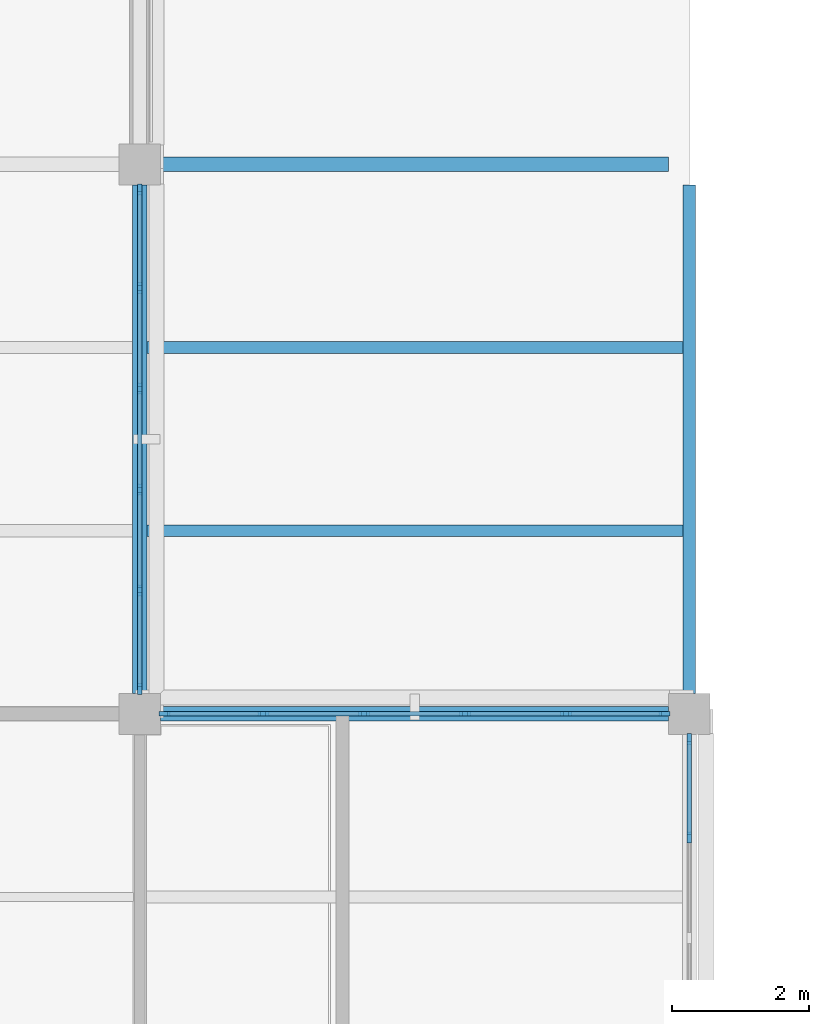
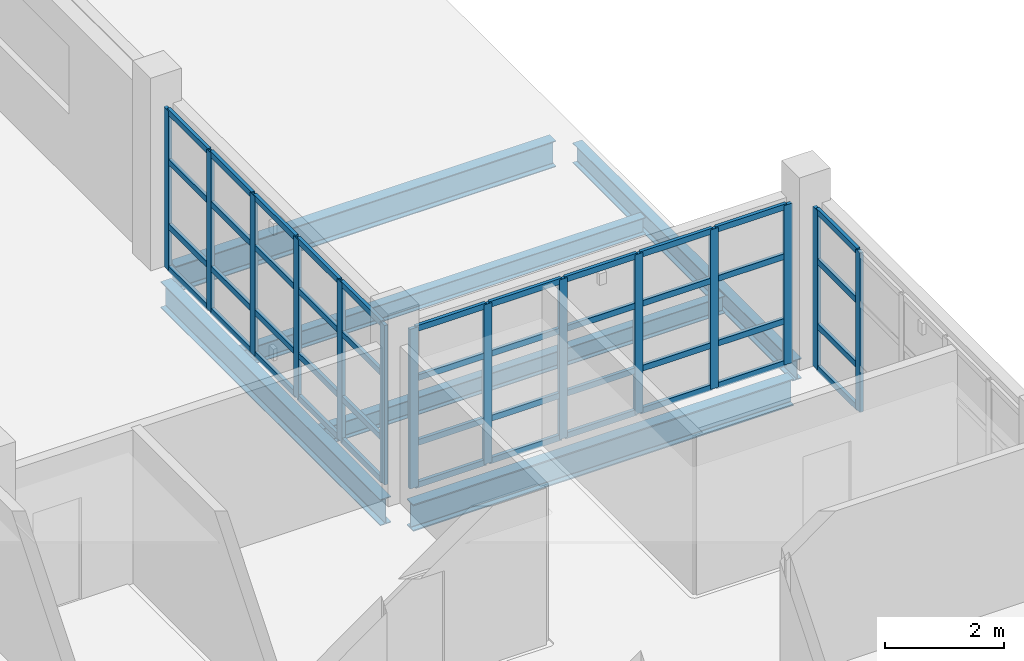
# One storey, part 42 of 126: 58 members, 6 beams, 3 elements without a shape of their own.
"""IFC4 building model written with IfcOpenShell, lengths in metres."""

from ifc_helpers import new_model, si_unit, derived_unit, direction, frame, origin, origin_2d, place, context, subcontext, project, spatial, rectangle, i_section, extrude, material, layer, layer_set, material_profile, profile_set, type_object, element, aggregate, save


model = new_model("IFC4")

# Units and contexts
model_context = context("Model", 3, precision=1e-05, world=origin(), true_north=direction((0.0, 1.0)))
body_context = subcontext(model_context, "Body", "Model", "MODEL_VIEW")
ifc_project = project(units=[si_unit("LENGTHUNIT", "METRE"), si_unit("AREAUNIT", "SQUARE_METRE"), si_unit("VOLUMEUNIT", "CUBIC_METRE"), si_unit("PLANEANGLEUNIT", "RADIAN"), si_unit("MASSUNIT", "GRAM", prefix="KILO"), derived_unit("THERMALTRANSMITTANCEUNIT", [(si_unit("MASSUNIT", "GRAM", prefix="KILO"), 1), (si_unit("TIMEUNIT", "SECOND"), -3), (si_unit("THERMODYNAMICTEMPERATUREUNIT", "KELVIN"), -1)])], contexts=[model_context])

# Site, building, storey
site_placement = place(None, origin())
site = spatial("IfcSite", under=ifc_project, at=site_placement, CompositionType="ELEMENT")
building_placement = place(site_placement, origin())
building = spatial("IfcBuilding", under=site, at=building_placement, Name="Veyamyaing Civic Hall", CompositionType="ELEMENT")
storey_placement = place(building_placement, frame((0.0, 0.0, 9.89990234375)))
storey = spatial("IfcBuildingStorey", under=building, at=storey_placement, Name="L02", CompositionType="ELEMENT", Elevation=9.89990234375)

# Beams
ifc_material_1 = material(Name="Steel ASTM A992", Category="steel")
ifc_material_profile_1 = material_profile(ifc_material_1, i_section(OverallWidth=0.214111328125, OverallDepth=0.549072265625, WebThickness=0.0146484375, FlangeThickness=0.023681640625, FilletRadius=0.011962890625, at=origin_2d()), Name="W530X138")
ifc_profile_set_1 = profile_set([ifc_material_profile_1], Name="Steel ASTM A992")
beam_type_1 = type_object("IfcBeamType", Name="B-16", PredefinedType="BEAM", material=ifc_profile_set_1)
beam_1_placement = place(storey_placement, frame((112.300048828125, 64.0, -0.559326171875), z_axis=(1.0, 0.0, 0.0), x_axis=(0.0, 1.0, 0.0)))
element("IfcBeam", 1, at=beam_1_placement, inside=storey, type_object=beam_type_1, Name="Girder B-16 L02 Grid J 15-16", PredefinedType="BEAM", context=body_context, shape_type="SweptSolid", body=[
    extrude(i_section(OverallWidth=0.214111328125, OverallDepth=0.549072265625, WebThickness=0.0146484375, FlangeThickness=0.023681640625, FilletRadius=0.011962890625, at=origin_2d()), origin(), (0.0, 0.0, 1.0), 7.39990234375),
])
ifc_material_profile_2 = material_profile(ifc_material_1, i_section(OverallWidth=0.2109375, OverallDepth=0.5390625, WebThickness=0.01171875, FlangeThickness=0.018798828125, FilletRadius=0.011962890625, at=origin_2d()), Name="W530X109")
ifc_profile_set_2 = profile_set([ifc_material_profile_2], Name="Steel ASTM A992")
beam_type_2 = type_object("IfcBeamType", Name="B-17", PredefinedType="BEAM", material=ifc_profile_set_2)
for number, where, z_axis, x_axis, name in (
    (2, (112.300048828125, 72.0, -0.509521484375), (1.0, 0.0, 0.0), (0.0, 1.0, 0.0), "Girder B-17 L02 Grid K 15-16"),
    (3, (112.0, 64.300048828125, -0.554443359375), (0.0, 1.0, 0.0), (-1.0, 0.0, 0.0), "Girder B-17 L02 Grid 15 J-K"),
):
    element("IfcBeam", number, at=place(storey_placement, frame(where, z_axis=z_axis, x_axis=x_axis)), inside=storey, type_object=beam_type_2, Name=name, PredefinedType="BEAM", context=body_context, shape_type="SweptSolid", body=[
        extrude(i_section(OverallWidth=0.2109375, OverallDepth=0.5390625, WebThickness=0.01171875, FlangeThickness=0.018798828125, FilletRadius=0.011962890625, at=origin_2d()), origin(), (0.0, 0.0, 1.0), 7.39990234375),
    ])
ifc_material_profile_3 = material_profile(ifc_material_1, i_section(OverallWidth=0.180908203125, OverallDepth=0.4169921875, WebThickness=0.010986328125, FlangeThickness=0.018310546875, FilletRadius=0.010009765625, at=origin_2d()), Name="W410X85")
ifc_profile_set_3 = profile_set([ifc_material_profile_3], Name="Steel ASTM A992")
beam_type_3 = type_object("IfcBeamType", Name="B-19", PredefinedType="SPANDREL", material=ifc_profile_set_3)
beam_2_placement = place(storey_placement, frame((120.0, 64.300048828125, -0.448486328125), z_axis=(0.0, 1.0, 0.0), x_axis=(-1.0, 0.0, 0.0)))
element("IfcBeam", 4, at=beam_2_placement, inside=storey, type_object=beam_type_3, Name="Girder B-19 L02 Grid 16 J-K", PredefinedType="SPANDREL", context=body_context, shape_type="SweptSolid", body=[
    extrude(i_section(OverallWidth=0.180908203125, OverallDepth=0.4169921875, WebThickness=0.010986328125, FlangeThickness=0.018310546875, FilletRadius=0.010009765625, at=origin_2d()), origin(), (0.0, 0.0, 1.0), 7.39990234375),
])

# Curtain wall, members
ifc_material_2 = material(Name="Anodised aluminium 6063-T6", Category="aluminium")
ifc_layer = layer(ifc_material_2, 0.159912109375, Name="Anodised aluminium 6063-T6")
ifc_layer_set = layer_set([ifc_layer], Name="Anodised aluminium 6063-T6")
curtain_wall_type = type_object("IfcCurtainWallType", Name="CW-03", PredefinedType="NOTDEFINED", material=ifc_layer_set)
curtain_wall_1_placement = place(storey_placement, origin())
curtain_wall_1 = element("IfcCurtainWall", 5, at=curtain_wall_1_placement, inside=storey, type_object=curtain_wall_type, Name="Unitized curtain wall CW-03 L02 E 14.9", PredefinedType="NOTDEFINED")
ifc_material_profile_4 = material_profile(ifc_material_2, rectangle(XDim=0.06494140625, YDim=0.159912109375, at=origin_2d()), Name="ALU-MUL-65X160")
ifc_profile_set_4 = profile_set([ifc_material_profile_4], Name="Anodised aluminium 6063-T6")
member_type_1 = type_object("IfcMemberType", Name="CWM-01", PredefinedType="MULLION", material=ifc_profile_set_4)
member_1_placement = place(storey_placement, frame((112.0, 64.362548828125, 0.0), z_axis=(0.0, 0.0, 1.0), x_axis=(-1.0, 0.0, 0.0)))
member_1 = element("IfcMember", 6, at=member_1_placement, type_object=member_type_1, Name="CW-03 mullion 1", PredefinedType="MULLION", context=body_context, shape_type="SweptSolid", body=[
    extrude(rectangle(XDim=0.06494140625, YDim=0.159912109375, at=origin_2d()), origin(), (0.0, 0.0, 1.0), 3.280029296875),
])
member_2_placement = place(storey_placement, frame((112.0, 65.798095703125, 0.0), z_axis=(0.0, 0.0, 1.0), x_axis=(-1.0, 0.0, 0.0)))
member_2 = element("IfcMember", 7, at=member_2_placement, type_object=member_type_1, Name="CW-03 mullion 2", PredefinedType="MULLION", context=body_context, shape_type="SweptSolid", body=[
    extrude(rectangle(XDim=0.06494140625, YDim=0.159912109375, at=origin_2d()), origin(), (0.0, 0.0, 1.0), 3.280029296875),
])
member_3_placement = place(storey_placement, frame((112.0, 67.26611328125, 0.0), z_axis=(0.0, 0.0, 1.0), x_axis=(-1.0, 0.0, 0.0)))
member_3 = element("IfcMember", 8, at=member_3_placement, type_object=member_type_1, Name="CW-03 mullion 3", PredefinedType="MULLION", context=body_context, shape_type="SweptSolid", body=[
    extrude(rectangle(XDim=0.06494140625, YDim=0.159912109375, at=origin_2d()), origin(), (0.0, 0.0, 1.0), 3.280029296875),
])
member_4_placement = place(storey_placement, frame((112.0, 68.73388671875, 0.0), z_axis=(0.0, 0.0, 1.0), x_axis=(-1.0, 0.0, 0.0)))
member_4 = element("IfcMember", 9, at=member_4_placement, type_object=member_type_1, Name="CW-03 mullion 4", PredefinedType="MULLION", context=body_context, shape_type="SweptSolid", body=[
    extrude(rectangle(XDim=0.06494140625, YDim=0.159912109375, at=origin_2d()), origin(), (0.0, 0.0, 1.0), 3.280029296875),
])
member_5_placement = place(storey_placement, frame((112.0, 70.201904296875, 0.0), z_axis=(0.0, 0.0, 1.0), x_axis=(-1.0, 0.0, 0.0)))
member_5 = element("IfcMember", 10, at=member_5_placement, type_object=member_type_1, Name="CW-03 mullion 5", PredefinedType="MULLION", context=body_context, shape_type="SweptSolid", body=[
    extrude(rectangle(XDim=0.06494140625, YDim=0.159912109375, at=origin_2d()), origin(), (0.0, 0.0, 1.0), 3.280029296875),
])
member_6_placement = place(storey_placement, frame((112.0, 71.637451171875, 0.0), z_axis=(0.0, 0.0, 1.0), x_axis=(-1.0, 0.0, 0.0)))
member_6 = element("IfcMember", 11, at=member_6_placement, type_object=member_type_1, Name="CW-03 mullion 6", PredefinedType="MULLION", context=body_context, shape_type="SweptSolid", body=[
    extrude(rectangle(XDim=0.06494140625, YDim=0.159912109375, at=origin_2d()), origin(), (0.0, 0.0, 1.0), 3.280029296875),
])

curtain_wall_2_placement = place(storey_placement, origin())
curtain_wall_2 = element("IfcCurtainWall", 12, at=curtain_wall_2_placement, inside=storey, type_object=curtain_wall_type, Name="Unitized curtain wall CW-03 L02 N 15.8", PredefinedType="NOTDEFINED")
member_7_placement = place(storey_placement, frame((112.362548828125, 64.0, 0.0), z_axis=(0.0, 0.0, 1.0), x_axis=(0.0, 1.0, 0.0)))
member_7 = element("IfcMember", 13, at=member_7_placement, type_object=member_type_1, Name="CW-03 mullion 1", PredefinedType="MULLION", context=body_context, shape_type="SweptSolid", body=[
    extrude(rectangle(XDim=0.06494140625, YDim=0.159912109375, at=origin_2d()), origin(), (0.0, 0.0, 1.0), 3.280029296875),
])
member_8_placement = place(storey_placement, frame((113.798095703125, 64.0, 0.0), z_axis=(0.0, 0.0, 1.0), x_axis=(0.0, 1.0, 0.0)))
member_8 = element("IfcMember", 14, at=member_8_placement, type_object=member_type_1, Name="CW-03 mullion 2", PredefinedType="MULLION", context=body_context, shape_type="SweptSolid", body=[
    extrude(rectangle(XDim=0.06494140625, YDim=0.159912109375, at=origin_2d()), origin(), (0.0, 0.0, 1.0), 3.280029296875),
])
member_9_placement = place(storey_placement, frame((115.26611328125, 64.0, 0.0), z_axis=(0.0, 0.0, 1.0), x_axis=(0.0, 1.0, 0.0)))
member_9 = element("IfcMember", 15, at=member_9_placement, type_object=member_type_1, Name="CW-03 mullion 3", PredefinedType="MULLION", context=body_context, shape_type="SweptSolid", body=[
    extrude(rectangle(XDim=0.06494140625, YDim=0.159912109375, at=origin_2d()), origin(), (0.0, 0.0, 1.0), 3.280029296875),
])
member_10_placement = place(storey_placement, frame((116.73388671875, 64.0, 0.0), z_axis=(0.0, 0.0, 1.0), x_axis=(0.0, 1.0, 0.0)))
member_10 = element("IfcMember", 16, at=member_10_placement, type_object=member_type_1, Name="CW-03 mullion 4", PredefinedType="MULLION", context=body_context, shape_type="SweptSolid", body=[
    extrude(rectangle(XDim=0.06494140625, YDim=0.159912109375, at=origin_2d()), origin(), (0.0, 0.0, 1.0), 3.280029296875),
])
member_11_placement = place(storey_placement, frame((118.201904296875, 64.0, 0.0), z_axis=(0.0, 0.0, 1.0), x_axis=(0.0, 1.0, 0.0)))
member_11 = element("IfcMember", 17, at=member_11_placement, type_object=member_type_1, Name="CW-03 mullion 5", PredefinedType="MULLION", context=body_context, shape_type="SweptSolid", body=[
    extrude(rectangle(XDim=0.06494140625, YDim=0.159912109375, at=origin_2d()), origin(), (0.0, 0.0, 1.0), 3.280029296875),
])
member_12_placement = place(storey_placement, frame((119.637451171875, 64.0, 0.0), z_axis=(0.0, 0.0, 1.0), x_axis=(0.0, 1.0, 0.0)))
member_12 = element("IfcMember", 18, at=member_12_placement, type_object=member_type_1, Name="CW-03 mullion 6", PredefinedType="MULLION", context=body_context, shape_type="SweptSolid", body=[
    extrude(rectangle(XDim=0.06494140625, YDim=0.159912109375, at=origin_2d()), origin(), (0.0, 0.0, 1.0), 3.280029296875),
])

curtain_wall_3_placement = place(storey_placement, origin())
curtain_wall_3 = element("IfcCurtainWall", 19, at=curtain_wall_3_placement, inside=storey, type_object=curtain_wall_type, Name="Unitized curtain wall CW-03 L02 E 15.8", PredefinedType="NOTDEFINED")
member_13_placement = place(storey_placement, frame((120.0, 62.201904296875, 0.0), z_axis=(0.0, 0.0, 1.0), x_axis=(-1.0, 0.0, 0.0)))
member_13 = element("IfcMember", 20, at=member_13_placement, type_object=member_type_1, Name="CW-03 mullion 5", PredefinedType="MULLION", context=body_context, shape_type="SweptSolid", body=[
    extrude(rectangle(XDim=0.06494140625, YDim=0.159912109375, at=origin_2d()), origin(), (0.0, 0.0, 1.0), 3.280029296875),
])
member_14_placement = place(storey_placement, frame((120.0, 63.637451171875, 0.0), z_axis=(0.0, 0.0, 1.0), x_axis=(-1.0, 0.0, 0.0)))
member_14 = element("IfcMember", 21, at=member_14_placement, type_object=member_type_1, Name="CW-03 mullion 6", PredefinedType="MULLION", context=body_context, shape_type="SweptSolid", body=[
    extrude(rectangle(XDim=0.06494140625, YDim=0.159912109375, at=origin_2d()), origin(), (0.0, 0.0, 1.0), 3.280029296875),
])

# Member
ifc_material_profile_5 = material_profile(ifc_material_2, rectangle(XDim=0.06494140625, YDim=0.1201171875, at=origin_2d()), Name="ALU-TRN-65X120")
ifc_profile_set_5 = profile_set([ifc_material_profile_5], Name="Anodised aluminium 6063-T6")
member_type_2 = type_object("IfcMemberType", Name="CWT-01", PredefinedType="USERDEFINED", material=ifc_profile_set_5)
member_15_placement = place(storey_placement, frame((112.0, 64.39501953125, 0.03271484375), z_axis=(0.0, 1.0, 0.0), x_axis=(-1.0, 0.0, 0.0)))
member_15 = element("IfcMember", 22, at=member_15_placement, type_object=member_type_2, Name="CW-03 transom 1.1", ObjectType="TRANSOM", PredefinedType="USERDEFINED", context=body_context, shape_type="SweptSolid", body=[
    extrude(rectangle(XDim=0.06494140625, YDim=0.1201171875, at=origin_2d()), origin(), (0.0, 0.0, 1.0), 1.370361328125),
])

member_16_placement = place(storey_placement, frame((112.0, 64.39501953125, 0.900146484375), z_axis=(0.0, 1.0, 0.0), x_axis=(-1.0, 0.0, 0.0)))
member_16 = element("IfcMember", 23, at=member_16_placement, type_object=member_type_2, Name="CW-03 transom 1.2", ObjectType="TRANSOM", PredefinedType="USERDEFINED", context=body_context, shape_type="SweptSolid", body=[
    extrude(rectangle(XDim=0.06494140625, YDim=0.1201171875, at=origin_2d()), origin(), (0.0, 0.0, 1.0), 1.370361328125),
])

member_17_placement = place(storey_placement, frame((112.0, 64.39501953125, 2.23046875), z_axis=(0.0, 1.0, 0.0), x_axis=(-1.0, 0.0, 0.0)))
member_17 = element("IfcMember", 24, at=member_17_placement, type_object=member_type_2, Name="CW-03 transom 1.3", ObjectType="TRANSOM", PredefinedType="USERDEFINED", context=body_context, shape_type="SweptSolid", body=[
    extrude(rectangle(XDim=0.06494140625, YDim=0.1201171875, at=origin_2d()), origin(), (0.0, 0.0, 1.0), 1.370361328125),
])

member_18_placement = place(storey_placement, frame((112.0, 64.39501953125, 3.24755859375), z_axis=(0.0, 1.0, 0.0), x_axis=(-1.0, 0.0, 0.0)))
member_18 = element("IfcMember", 25, at=member_18_placement, type_object=member_type_2, Name="CW-03 transom 1.4", ObjectType="TRANSOM", PredefinedType="USERDEFINED", context=body_context, shape_type="SweptSolid", body=[
    extrude(rectangle(XDim=0.06494140625, YDim=0.1201171875, at=origin_2d()), origin(), (0.0, 0.0, 1.0), 1.370361328125),
])

member_19_placement = place(storey_placement, frame((112.0, 65.83056640625, 0.03271484375), z_axis=(0.0, 1.0, 0.0), x_axis=(-1.0, 0.0, 0.0)))
member_19 = element("IfcMember", 26, at=member_19_placement, type_object=member_type_2, Name="CW-03 transom 2.1", ObjectType="TRANSOM", PredefinedType="USERDEFINED", context=body_context, shape_type="SweptSolid", body=[
    extrude(rectangle(XDim=0.06494140625, YDim=0.1201171875, at=origin_2d()), origin(), (0.0, 0.0, 1.0), 1.40283203125),
])

member_20_placement = place(storey_placement, frame((112.0, 65.83056640625, 0.900146484375), z_axis=(0.0, 1.0, 0.0), x_axis=(-1.0, 0.0, 0.0)))
member_20 = element("IfcMember", 27, at=member_20_placement, type_object=member_type_2, Name="CW-03 transom 2.2", ObjectType="TRANSOM", PredefinedType="USERDEFINED", context=body_context, shape_type="SweptSolid", body=[
    extrude(rectangle(XDim=0.06494140625, YDim=0.1201171875, at=origin_2d()), origin(), (0.0, 0.0, 1.0), 1.40283203125),
])

member_21_placement = place(storey_placement, frame((112.0, 65.83056640625, 2.23046875), z_axis=(0.0, 1.0, 0.0), x_axis=(-1.0, 0.0, 0.0)))
member_21 = element("IfcMember", 28, at=member_21_placement, type_object=member_type_2, Name="CW-03 transom 2.3", ObjectType="TRANSOM", PredefinedType="USERDEFINED", context=body_context, shape_type="SweptSolid", body=[
    extrude(rectangle(XDim=0.06494140625, YDim=0.1201171875, at=origin_2d()), origin(), (0.0, 0.0, 1.0), 1.40283203125),
])

member_22_placement = place(storey_placement, frame((112.0, 65.83056640625, 3.24755859375), z_axis=(0.0, 1.0, 0.0), x_axis=(-1.0, 0.0, 0.0)))
member_22 = element("IfcMember", 29, at=member_22_placement, type_object=member_type_2, Name="CW-03 transom 2.4", ObjectType="TRANSOM", PredefinedType="USERDEFINED", context=body_context, shape_type="SweptSolid", body=[
    extrude(rectangle(XDim=0.06494140625, YDim=0.1201171875, at=origin_2d()), origin(), (0.0, 0.0, 1.0), 1.40283203125),
])

member_23_placement = place(storey_placement, frame((112.0, 67.298583984375, 0.03271484375), z_axis=(0.0, 1.0, 0.0), x_axis=(-1.0, 0.0, 0.0)))
member_23 = element("IfcMember", 30, at=member_23_placement, type_object=member_type_2, Name="CW-03 transom 3.1", ObjectType="TRANSOM", PredefinedType="USERDEFINED", context=body_context, shape_type="SweptSolid", body=[
    extrude(rectangle(XDim=0.06494140625, YDim=0.1201171875, at=origin_2d()), origin(), (0.0, 0.0, 1.0), 1.40283203125),
])

member_24_placement = place(storey_placement, frame((112.0, 67.298583984375, 0.900146484375), z_axis=(0.0, 1.0, 0.0), x_axis=(-1.0, 0.0, 0.0)))
member_24 = element("IfcMember", 31, at=member_24_placement, type_object=member_type_2, Name="CW-03 transom 3.2", ObjectType="TRANSOM", PredefinedType="USERDEFINED", context=body_context, shape_type="SweptSolid", body=[
    extrude(rectangle(XDim=0.06494140625, YDim=0.1201171875, at=origin_2d()), origin(), (0.0, 0.0, 1.0), 1.40283203125),
])

member_25_placement = place(storey_placement, frame((112.0, 67.298583984375, 2.23046875), z_axis=(0.0, 1.0, 0.0), x_axis=(-1.0, 0.0, 0.0)))
member_25 = element("IfcMember", 32, at=member_25_placement, type_object=member_type_2, Name="CW-03 transom 3.3", ObjectType="TRANSOM", PredefinedType="USERDEFINED", context=body_context, shape_type="SweptSolid", body=[
    extrude(rectangle(XDim=0.06494140625, YDim=0.1201171875, at=origin_2d()), origin(), (0.0, 0.0, 1.0), 1.40283203125),
])

member_26_placement = place(storey_placement, frame((112.0, 67.298583984375, 3.24755859375), z_axis=(0.0, 1.0, 0.0), x_axis=(-1.0, 0.0, 0.0)))
member_26 = element("IfcMember", 33, at=member_26_placement, type_object=member_type_2, Name="CW-03 transom 3.4", ObjectType="TRANSOM", PredefinedType="USERDEFINED", context=body_context, shape_type="SweptSolid", body=[
    extrude(rectangle(XDim=0.06494140625, YDim=0.1201171875, at=origin_2d()), origin(), (0.0, 0.0, 1.0), 1.40283203125),
])

member_27_placement = place(storey_placement, frame((112.0, 68.7666015625, 0.03271484375), z_axis=(0.0, 1.0, 0.0), x_axis=(-1.0, 0.0, 0.0)))
member_27 = element("IfcMember", 34, at=member_27_placement, type_object=member_type_2, Name="CW-03 transom 4.1", ObjectType="TRANSOM", PredefinedType="USERDEFINED", context=body_context, shape_type="SweptSolid", body=[
    extrude(rectangle(XDim=0.06494140625, YDim=0.1201171875, at=origin_2d()), origin(), (0.0, 0.0, 1.0), 1.40283203125),
])

member_28_placement = place(storey_placement, frame((112.0, 68.7666015625, 0.900146484375), z_axis=(0.0, 1.0, 0.0), x_axis=(-1.0, 0.0, 0.0)))
member_28 = element("IfcMember", 35, at=member_28_placement, type_object=member_type_2, Name="CW-03 transom 4.2", ObjectType="TRANSOM", PredefinedType="USERDEFINED", context=body_context, shape_type="SweptSolid", body=[
    extrude(rectangle(XDim=0.06494140625, YDim=0.1201171875, at=origin_2d()), origin(), (0.0, 0.0, 1.0), 1.40283203125),
])

member_29_placement = place(storey_placement, frame((112.0, 68.7666015625, 2.23046875), z_axis=(0.0, 1.0, 0.0), x_axis=(-1.0, 0.0, 0.0)))
member_29 = element("IfcMember", 36, at=member_29_placement, type_object=member_type_2, Name="CW-03 transom 4.3", ObjectType="TRANSOM", PredefinedType="USERDEFINED", context=body_context, shape_type="SweptSolid", body=[
    extrude(rectangle(XDim=0.06494140625, YDim=0.1201171875, at=origin_2d()), origin(), (0.0, 0.0, 1.0), 1.40283203125),
])

member_30_placement = place(storey_placement, frame((112.0, 68.7666015625, 3.24755859375), z_axis=(0.0, 1.0, 0.0), x_axis=(-1.0, 0.0, 0.0)))
member_30 = element("IfcMember", 37, at=member_30_placement, type_object=member_type_2, Name="CW-03 transom 4.4", ObjectType="TRANSOM", PredefinedType="USERDEFINED", context=body_context, shape_type="SweptSolid", body=[
    extrude(rectangle(XDim=0.06494140625, YDim=0.1201171875, at=origin_2d()), origin(), (0.0, 0.0, 1.0), 1.40283203125),
])

member_31_placement = place(storey_placement, frame((112.0, 70.234619140625, 0.03271484375), z_axis=(0.0, 1.0, 0.0), x_axis=(-1.0, 0.0, 0.0)))
member_31 = element("IfcMember", 38, at=member_31_placement, type_object=member_type_2, Name="CW-03 transom 5.1", ObjectType="TRANSOM", PredefinedType="USERDEFINED", context=body_context, shape_type="SweptSolid", body=[
    extrude(rectangle(XDim=0.06494140625, YDim=0.1201171875, at=origin_2d()), origin(), (0.0, 0.0, 1.0), 1.370361328125),
])

member_32_placement = place(storey_placement, frame((112.0, 70.234619140625, 0.900146484375), z_axis=(0.0, 1.0, 0.0), x_axis=(-1.0, 0.0, 0.0)))
member_32 = element("IfcMember", 39, at=member_32_placement, type_object=member_type_2, Name="CW-03 transom 5.2", ObjectType="TRANSOM", PredefinedType="USERDEFINED", context=body_context, shape_type="SweptSolid", body=[
    extrude(rectangle(XDim=0.06494140625, YDim=0.1201171875, at=origin_2d()), origin(), (0.0, 0.0, 1.0), 1.370361328125),
])

member_33_placement = place(storey_placement, frame((112.0, 70.234619140625, 2.23046875), z_axis=(0.0, 1.0, 0.0), x_axis=(-1.0, 0.0, 0.0)))
member_33 = element("IfcMember", 40, at=member_33_placement, type_object=member_type_2, Name="CW-03 transom 5.3", ObjectType="TRANSOM", PredefinedType="USERDEFINED", context=body_context, shape_type="SweptSolid", body=[
    extrude(rectangle(XDim=0.06494140625, YDim=0.1201171875, at=origin_2d()), origin(), (0.0, 0.0, 1.0), 1.370361328125),
])

member_34_placement = place(storey_placement, frame((112.0, 70.234619140625, 3.24755859375), z_axis=(0.0, 1.0, 0.0), x_axis=(-1.0, 0.0, 0.0)))
member_34 = element("IfcMember", 41, at=member_34_placement, type_object=member_type_2, Name="CW-03 transom 5.4", ObjectType="TRANSOM", PredefinedType="USERDEFINED", context=body_context, shape_type="SweptSolid", body=[
    extrude(rectangle(XDim=0.06494140625, YDim=0.1201171875, at=origin_2d()), origin(), (0.0, 0.0, 1.0), 1.370361328125),
])

aggregate(curtain_wall_1, [member_1, member_2, member_3, member_4, member_5, member_6, member_15, member_16, member_17, member_18, member_19, member_20, member_21, member_22, member_23, member_24, member_25, member_26, member_27, member_28, member_29, member_30, member_31, member_32, member_33, member_34])

member_35_placement = place(storey_placement, frame((112.39501953125, 64.0, 0.03271484375), z_axis=(1.0, 0.0, 0.0), x_axis=(0.0, 1.0, 0.0)))
member_35 = element("IfcMember", 42, at=member_35_placement, type_object=member_type_2, Name="CW-03 transom 1.1", ObjectType="TRANSOM", PredefinedType="USERDEFINED", context=body_context, shape_type="SweptSolid", body=[
    extrude(rectangle(XDim=0.06494140625, YDim=0.1201171875, at=origin_2d()), origin(), (0.0, 0.0, 1.0), 1.370361328125),
])

member_36_placement = place(storey_placement, frame((112.39501953125, 64.0, 0.900146484375), z_axis=(1.0, 0.0, 0.0), x_axis=(0.0, 1.0, 0.0)))
member_36 = element("IfcMember", 43, at=member_36_placement, type_object=member_type_2, Name="CW-03 transom 1.2", ObjectType="TRANSOM", PredefinedType="USERDEFINED", context=body_context, shape_type="SweptSolid", body=[
    extrude(rectangle(XDim=0.06494140625, YDim=0.1201171875, at=origin_2d()), origin(), (0.0, 0.0, 1.0), 1.370361328125),
])

member_37_placement = place(storey_placement, frame((112.39501953125, 64.0, 2.23046875), z_axis=(1.0, 0.0, 0.0), x_axis=(0.0, 1.0, 0.0)))
member_37 = element("IfcMember", 44, at=member_37_placement, type_object=member_type_2, Name="CW-03 transom 1.3", ObjectType="TRANSOM", PredefinedType="USERDEFINED", context=body_context, shape_type="SweptSolid", body=[
    extrude(rectangle(XDim=0.06494140625, YDim=0.1201171875, at=origin_2d()), origin(), (0.0, 0.0, 1.0), 1.370361328125),
])

member_38_placement = place(storey_placement, frame((112.39501953125, 64.0, 3.24755859375), z_axis=(1.0, 0.0, 0.0), x_axis=(0.0, 1.0, 0.0)))
member_38 = element("IfcMember", 45, at=member_38_placement, type_object=member_type_2, Name="CW-03 transom 1.4", ObjectType="TRANSOM", PredefinedType="USERDEFINED", context=body_context, shape_type="SweptSolid", body=[
    extrude(rectangle(XDim=0.06494140625, YDim=0.1201171875, at=origin_2d()), origin(), (0.0, 0.0, 1.0), 1.370361328125),
])

member_39_placement = place(storey_placement, frame((113.83056640625, 64.0, 0.03271484375), z_axis=(1.0, 0.0, 0.0), x_axis=(0.0, 1.0, 0.0)))
member_39 = element("IfcMember", 46, at=member_39_placement, type_object=member_type_2, Name="CW-03 transom 2.1", ObjectType="TRANSOM", PredefinedType="USERDEFINED", context=body_context, shape_type="SweptSolid", body=[
    extrude(rectangle(XDim=0.06494140625, YDim=0.1201171875, at=origin_2d()), origin(), (0.0, 0.0, 1.0), 1.40283203125),
])

member_40_placement = place(storey_placement, frame((113.83056640625, 64.0, 0.900146484375), z_axis=(1.0, 0.0, 0.0), x_axis=(0.0, 1.0, 0.0)))
member_40 = element("IfcMember", 47, at=member_40_placement, type_object=member_type_2, Name="CW-03 transom 2.2", ObjectType="TRANSOM", PredefinedType="USERDEFINED", context=body_context, shape_type="SweptSolid", body=[
    extrude(rectangle(XDim=0.06494140625, YDim=0.1201171875, at=origin_2d()), origin(), (0.0, 0.0, 1.0), 1.40283203125),
])

member_41_placement = place(storey_placement, frame((113.83056640625, 64.0, 2.23046875), z_axis=(1.0, 0.0, 0.0), x_axis=(0.0, 1.0, 0.0)))
member_41 = element("IfcMember", 48, at=member_41_placement, type_object=member_type_2, Name="CW-03 transom 2.3", ObjectType="TRANSOM", PredefinedType="USERDEFINED", context=body_context, shape_type="SweptSolid", body=[
    extrude(rectangle(XDim=0.06494140625, YDim=0.1201171875, at=origin_2d()), origin(), (0.0, 0.0, 1.0), 1.40283203125),
])

member_42_placement = place(storey_placement, frame((113.83056640625, 64.0, 3.24755859375), z_axis=(1.0, 0.0, 0.0), x_axis=(0.0, 1.0, 0.0)))
member_42 = element("IfcMember", 49, at=member_42_placement, type_object=member_type_2, Name="CW-03 transom 2.4", ObjectType="TRANSOM", PredefinedType="USERDEFINED", context=body_context, shape_type="SweptSolid", body=[
    extrude(rectangle(XDim=0.06494140625, YDim=0.1201171875, at=origin_2d()), origin(), (0.0, 0.0, 1.0), 1.40283203125),
])

member_43_placement = place(storey_placement, frame((115.298583984375, 64.0, 0.03271484375), z_axis=(1.0, 0.0, 0.0), x_axis=(0.0, 1.0, 0.0)))
member_43 = element("IfcMember", 50, at=member_43_placement, type_object=member_type_2, Name="CW-03 transom 3.1", ObjectType="TRANSOM", PredefinedType="USERDEFINED", context=body_context, shape_type="SweptSolid", body=[
    extrude(rectangle(XDim=0.06494140625, YDim=0.1201171875, at=origin_2d()), origin(), (0.0, 0.0, 1.0), 1.40283203125),
])

member_44_placement = place(storey_placement, frame((115.298583984375, 64.0, 0.900146484375), z_axis=(1.0, 0.0, 0.0), x_axis=(0.0, 1.0, 0.0)))
member_44 = element("IfcMember", 51, at=member_44_placement, type_object=member_type_2, Name="CW-03 transom 3.2", ObjectType="TRANSOM", PredefinedType="USERDEFINED", context=body_context, shape_type="SweptSolid", body=[
    extrude(rectangle(XDim=0.06494140625, YDim=0.1201171875, at=origin_2d()), origin(), (0.0, 0.0, 1.0), 1.40283203125),
])

member_45_placement = place(storey_placement, frame((115.298583984375, 64.0, 2.23046875), z_axis=(1.0, 0.0, 0.0), x_axis=(0.0, 1.0, 0.0)))
member_45 = element("IfcMember", 52, at=member_45_placement, type_object=member_type_2, Name="CW-03 transom 3.3", ObjectType="TRANSOM", PredefinedType="USERDEFINED", context=body_context, shape_type="SweptSolid", body=[
    extrude(rectangle(XDim=0.06494140625, YDim=0.1201171875, at=origin_2d()), origin(), (0.0, 0.0, 1.0), 1.40283203125),
])

member_46_placement = place(storey_placement, frame((115.298583984375, 64.0, 3.24755859375), z_axis=(1.0, 0.0, 0.0), x_axis=(0.0, 1.0, 0.0)))
member_46 = element("IfcMember", 53, at=member_46_placement, type_object=member_type_2, Name="CW-03 transom 3.4", ObjectType="TRANSOM", PredefinedType="USERDEFINED", context=body_context, shape_type="SweptSolid", body=[
    extrude(rectangle(XDim=0.06494140625, YDim=0.1201171875, at=origin_2d()), origin(), (0.0, 0.0, 1.0), 1.40283203125),
])

member_47_placement = place(storey_placement, frame((116.7666015625, 64.0, 0.03271484375), z_axis=(1.0, 0.0, 0.0), x_axis=(0.0, 1.0, 0.0)))
member_47 = element("IfcMember", 54, at=member_47_placement, type_object=member_type_2, Name="CW-03 transom 4.1", ObjectType="TRANSOM", PredefinedType="USERDEFINED", context=body_context, shape_type="SweptSolid", body=[
    extrude(rectangle(XDim=0.06494140625, YDim=0.1201171875, at=origin_2d()), origin(), (0.0, 0.0, 1.0), 1.40283203125),
])

member_48_placement = place(storey_placement, frame((116.7666015625, 64.0, 0.900146484375), z_axis=(1.0, 0.0, 0.0), x_axis=(0.0, 1.0, 0.0)))
member_48 = element("IfcMember", 55, at=member_48_placement, type_object=member_type_2, Name="CW-03 transom 4.2", ObjectType="TRANSOM", PredefinedType="USERDEFINED", context=body_context, shape_type="SweptSolid", body=[
    extrude(rectangle(XDim=0.06494140625, YDim=0.1201171875, at=origin_2d()), origin(), (0.0, 0.0, 1.0), 1.40283203125),
])

member_49_placement = place(storey_placement, frame((116.7666015625, 64.0, 2.23046875), z_axis=(1.0, 0.0, 0.0), x_axis=(0.0, 1.0, 0.0)))
member_49 = element("IfcMember", 56, at=member_49_placement, type_object=member_type_2, Name="CW-03 transom 4.3", ObjectType="TRANSOM", PredefinedType="USERDEFINED", context=body_context, shape_type="SweptSolid", body=[
    extrude(rectangle(XDim=0.06494140625, YDim=0.1201171875, at=origin_2d()), origin(), (0.0, 0.0, 1.0), 1.40283203125),
])

member_50_placement = place(storey_placement, frame((116.7666015625, 64.0, 3.24755859375), z_axis=(1.0, 0.0, 0.0), x_axis=(0.0, 1.0, 0.0)))
member_50 = element("IfcMember", 57, at=member_50_placement, type_object=member_type_2, Name="CW-03 transom 4.4", ObjectType="TRANSOM", PredefinedType="USERDEFINED", context=body_context, shape_type="SweptSolid", body=[
    extrude(rectangle(XDim=0.06494140625, YDim=0.1201171875, at=origin_2d()), origin(), (0.0, 0.0, 1.0), 1.40283203125),
])

member_51_placement = place(storey_placement, frame((118.234619140625, 64.0, 0.03271484375), z_axis=(1.0, 0.0, 0.0), x_axis=(0.0, 1.0, 0.0)))
member_51 = element("IfcMember", 58, at=member_51_placement, type_object=member_type_2, Name="CW-03 transom 5.1", ObjectType="TRANSOM", PredefinedType="USERDEFINED", context=body_context, shape_type="SweptSolid", body=[
    extrude(rectangle(XDim=0.06494140625, YDim=0.1201171875, at=origin_2d()), origin(), (0.0, 0.0, 1.0), 1.370361328125),
])

member_52_placement = place(storey_placement, frame((118.234619140625, 64.0, 0.900146484375), z_axis=(1.0, 0.0, 0.0), x_axis=(0.0, 1.0, 0.0)))
member_52 = element("IfcMember", 59, at=member_52_placement, type_object=member_type_2, Name="CW-03 transom 5.2", ObjectType="TRANSOM", PredefinedType="USERDEFINED", context=body_context, shape_type="SweptSolid", body=[
    extrude(rectangle(XDim=0.06494140625, YDim=0.1201171875, at=origin_2d()), origin(), (0.0, 0.0, 1.0), 1.370361328125),
])

member_53_placement = place(storey_placement, frame((118.234619140625, 64.0, 2.23046875), z_axis=(1.0, 0.0, 0.0), x_axis=(0.0, 1.0, 0.0)))
member_53 = element("IfcMember", 60, at=member_53_placement, type_object=member_type_2, Name="CW-03 transom 5.3", ObjectType="TRANSOM", PredefinedType="USERDEFINED", context=body_context, shape_type="SweptSolid", body=[
    extrude(rectangle(XDim=0.06494140625, YDim=0.1201171875, at=origin_2d()), origin(), (0.0, 0.0, 1.0), 1.370361328125),
])

member_54_placement = place(storey_placement, frame((118.234619140625, 64.0, 3.24755859375), z_axis=(1.0, 0.0, 0.0), x_axis=(0.0, 1.0, 0.0)))
member_54 = element("IfcMember", 61, at=member_54_placement, type_object=member_type_2, Name="CW-03 transom 5.4", ObjectType="TRANSOM", PredefinedType="USERDEFINED", context=body_context, shape_type="SweptSolid", body=[
    extrude(rectangle(XDim=0.06494140625, YDim=0.1201171875, at=origin_2d()), origin(), (0.0, 0.0, 1.0), 1.370361328125),
])

aggregate(curtain_wall_2, [member_7, member_8, member_9, member_10, member_11, member_12, member_35, member_36, member_37, member_38, member_39, member_40, member_41, member_42, member_43, member_44, member_45, member_46, member_47, member_48, member_49, member_50, member_51, member_52, member_53, member_54])

member_55_placement = place(storey_placement, frame((120.0, 62.234619140625, 0.03271484375), z_axis=(0.0, 1.0, 0.0), x_axis=(-1.0, 0.0, 0.0)))
member_55 = element("IfcMember", 62, at=member_55_placement, type_object=member_type_2, Name="CW-03 transom 5.1", ObjectType="TRANSOM", PredefinedType="USERDEFINED", context=body_context, shape_type="SweptSolid", body=[
    extrude(rectangle(XDim=0.06494140625, YDim=0.1201171875, at=origin_2d()), origin(), (0.0, 0.0, 1.0), 1.370361328125),
])

member_56_placement = place(storey_placement, frame((120.0, 62.234619140625, 0.900146484375), z_axis=(0.0, 1.0, 0.0), x_axis=(-1.0, 0.0, 0.0)))
member_56 = element("IfcMember", 63, at=member_56_placement, type_object=member_type_2, Name="CW-03 transom 5.2", ObjectType="TRANSOM", PredefinedType="USERDEFINED", context=body_context, shape_type="SweptSolid", body=[
    extrude(rectangle(XDim=0.06494140625, YDim=0.1201171875, at=origin_2d()), origin(), (0.0, 0.0, 1.0), 1.370361328125),
])

member_57_placement = place(storey_placement, frame((120.0, 62.234619140625, 2.23046875), z_axis=(0.0, 1.0, 0.0), x_axis=(-1.0, 0.0, 0.0)))
member_57 = element("IfcMember", 64, at=member_57_placement, type_object=member_type_2, Name="CW-03 transom 5.3", ObjectType="TRANSOM", PredefinedType="USERDEFINED", context=body_context, shape_type="SweptSolid", body=[
    extrude(rectangle(XDim=0.06494140625, YDim=0.1201171875, at=origin_2d()), origin(), (0.0, 0.0, 1.0), 1.370361328125),
])

member_58_placement = place(storey_placement, frame((120.0, 62.234619140625, 3.24755859375), z_axis=(0.0, 1.0, 0.0), x_axis=(-1.0, 0.0, 0.0)))
member_58 = element("IfcMember", 65, at=member_58_placement, type_object=member_type_2, Name="CW-03 transom 5.4", ObjectType="TRANSOM", PredefinedType="USERDEFINED", context=body_context, shape_type="SweptSolid", body=[
    extrude(rectangle(XDim=0.06494140625, YDim=0.1201171875, at=origin_2d()), origin(), (0.0, 0.0, 1.0), 1.370361328125),
])

aggregate(curtain_wall_3, [member_13, member_14, member_55, member_56, member_57, member_58])

# Beams
ifc_material_profile_6 = material_profile(ifc_material_1, i_section(OverallWidth=0.172119140625, OverallDepth=0.35791015625, WebThickness=0.0078125, FlangeThickness=0.01318359375, FilletRadius=0.010009765625, at=origin_2d()), Name="W360X57")
ifc_profile_set_6 = profile_set([ifc_material_profile_6], Name="Steel ASTM A992")
beam_type_4 = type_object("IfcBeamType", Name="J-02", PredefinedType="JOIST", material=ifc_profile_set_6)
for number, where, z_axis, x_axis, name in (
    (66, (112.103515625, 66.666748046875, -0.4638671875), (1.0, 0.0, 0.0), (0.0, 1.0, 0.0), "Composite floor joist J-02 L02 15.9.1"),
    (67, (112.103515625, 69.333251953125, -0.4638671875), (1.0, 0.0, 0.0), (0.0, 1.0, 0.0), "Composite floor joist J-02 L02 15.9.2"),
):
    element("IfcBeam", number, at=place(storey_placement, frame(where, z_axis=z_axis, x_axis=x_axis)), inside=storey, type_object=beam_type_4, Name=name, PredefinedType="JOIST", context=body_context, shape_type="SweptSolid", body=[
        extrude(i_section(OverallWidth=0.172119140625, OverallDepth=0.35791015625, WebThickness=0.0078125, FlangeThickness=0.01318359375, FilletRadius=0.010009765625, at=origin_2d()), origin(), (0.0, 0.0, 1.0), 7.80810546875),
    ])

save(model, "model.ifc")
